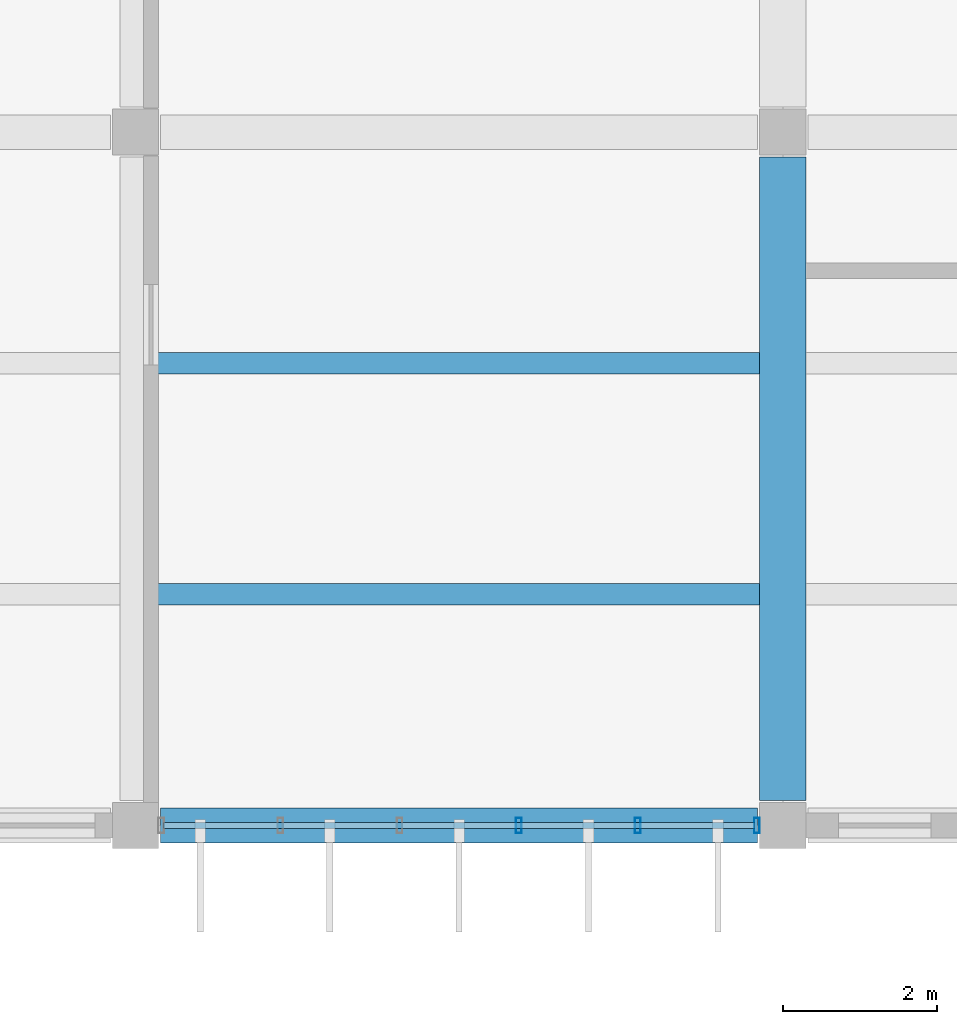
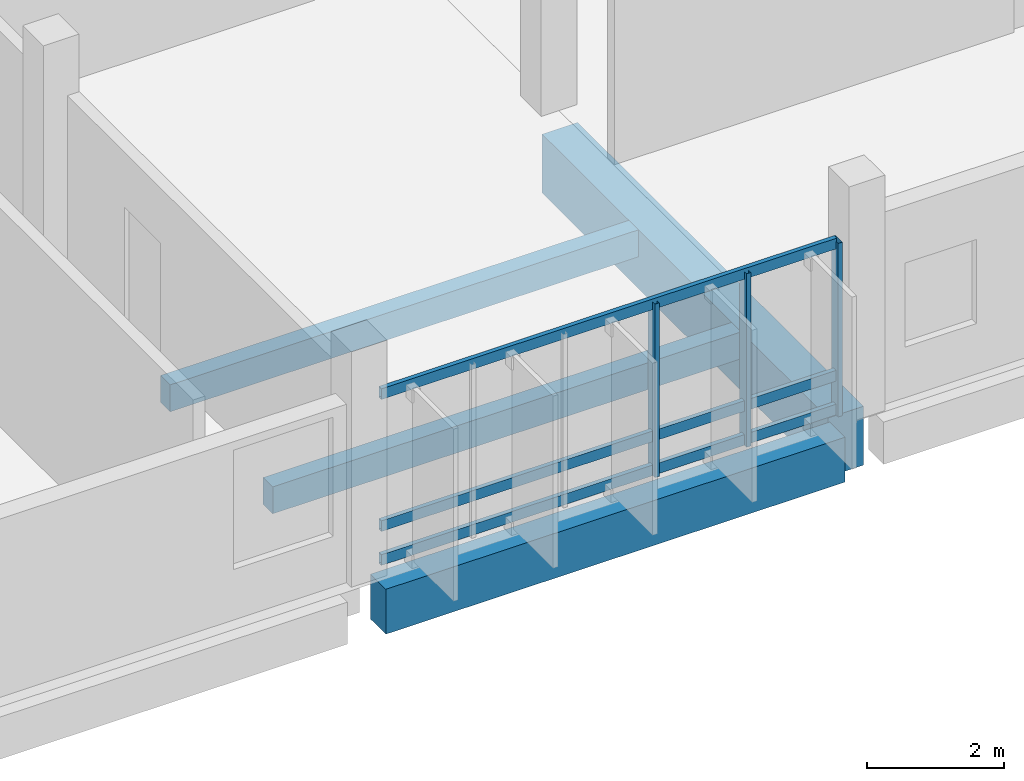
# One storey, part 29 of 130: 6 members, 4 beams, 1 element without a shape of its own.
"""IFC4 building model written with IfcOpenShell, lengths in metres."""

from ifc_helpers import new_model, si_unit, direction, frame, origin, origin_2d, place, context, subcontext, project, spatial, rectangle, hollow_rectangle, extrude, material, layer, layer_set, material_profile, profile_set, type_object, element, aggregate, save


model = new_model("IFC4")

# Units and contexts
model_context = context("Model", 3, precision=1e-05, world=origin(), true_north=direction((0.0, 1.0)))
body_context = subcontext(model_context, "Body", "Model", "MODEL_VIEW")
ifc_project = project(units=[si_unit("LENGTHUNIT", "METRE"), si_unit("AREAUNIT", "SQUARE_METRE"), si_unit("VOLUMEUNIT", "CUBIC_METRE"), si_unit("PLANEANGLEUNIT", "RADIAN"), si_unit("MASSUNIT", "GRAM", prefix="KILO")], contexts=[model_context])

# Site, building, storey
site_placement = place(None, origin())
site = spatial("IfcSite", under=ifc_project, at=site_placement, CompositionType="ELEMENT")
building_placement = place(site_placement, origin())
building = spatial("IfcBuilding", under=site, at=building_placement, Name="Vireocrest Preparatory School", CompositionType="ELEMENT")
storey_placement = place(building_placement, frame((0.0, 0.0, 9.0)))
storey = spatial("IfcBuildingStorey", under=building, at=storey_placement, Name="L02", CompositionType="ELEMENT", Elevation=9.0)

# Curtain wall, members
ifc_material_1 = material(Name="Thermally broken aluminium EN AW-6063-T6", Category="aluminium")
ifc_layer = layer(ifc_material_1, 0.179931640625)
ifc_layer_set = layer_set([ifc_layer], Name="Thermally broken aluminium EN AW-6063-T6")
curtain_wall_type = type_object("IfcCurtainWallType", Name="Side Banded Curtain Wall 9000x3200", PredefinedType="USERDEFINED", material=ifc_layer_set)
curtain_wall_placement = place(storey_placement, origin())
curtain_wall = element("IfcCurtainWall", 1, at=curtain_wall_placement, inside=storey, type_object=curtain_wall_type, Name="Curtain Wall CW09 CW_L02_CW09_1011_0180_090", ObjectType="CURTAIN WALL", PredefinedType="USERDEFINED")
ifc_material_profile_1 = material_profile(ifc_material_1, hollow_rectangle(XDim=0.074951171875, YDim=0.199951171875, WallThickness=0.0048828125, at=origin_2d()), Name="ALU 75x200x5")
ifc_profile_set_1 = profile_set([ifc_material_profile_1], Name="Thermally broken aluminium EN AW-6063-T6")
member_type_1 = type_object("IfcMemberType", Name="CW Mullion 75x200x5", PredefinedType="MULLION", material=ifc_profile_set_1)
member_1_placement = place(storey_placement, frame((105.77294921875, 18.0, 0.0), z_axis=(0.0, 0.0, 1.0), x_axis=(1.0, 0.0, 0.0)))
member_1 = element("IfcMember", 2, at=member_1_placement, type_object=member_type_1, Name="CW Mullion ML3 CW_L02_CW09_1011_0180_090-4", PredefinedType="MULLION", context=body_context, shape_type="SweptSolid", body=[
    extrude(hollow_rectangle(XDim=0.074951171875, YDim=0.199951171875, WallThickness=0.0048828125, at=origin_2d()), origin(), (0.0, 0.0, 1.0), 3.094970703125),
])
member_2_placement = place(storey_placement, frame((107.319091796875, 18.0, 0.0), z_axis=(0.0, 0.0, 1.0), x_axis=(1.0, 0.0, 0.0)))
member_2 = element("IfcMember", 3, at=member_2_placement, type_object=member_type_1, Name="CW Mullion ML3 CW_L02_CW09_1011_0180_090-5", PredefinedType="MULLION", context=body_context, shape_type="SweptSolid", body=[
    extrude(hollow_rectangle(XDim=0.074951171875, YDim=0.199951171875, WallThickness=0.0048828125, at=origin_2d()), origin(), (0.0, 0.0, 1.0), 3.094970703125),
])
member_3_placement = place(storey_placement, frame((108.864990234375, 18.0, 0.0), z_axis=(0.0, 0.0, 1.0), x_axis=(1.0, 0.0, 0.0)))
member_3 = element("IfcMember", 4, at=member_3_placement, type_object=member_type_1, Name="CW Mullion ML3 CW_L02_CW09_1011_0180_090-6", PredefinedType="MULLION", context=body_context, shape_type="SweptSolid", body=[
    extrude(hollow_rectangle(XDim=0.074951171875, YDim=0.199951171875, WallThickness=0.0048828125, at=origin_2d()), origin(), (0.0, 0.0, 1.0), 3.094970703125),
])
ifc_material_profile_2 = material_profile(ifc_material_1, hollow_rectangle(XDim=0.074951171875, YDim=0.18994140625, WallThickness=0.00390625, at=origin_2d()), Name="ALU 75x190x4")
ifc_profile_set_2 = profile_set([ifc_material_profile_2], Name="Thermally broken aluminium EN AW-6063-T6")
member_type_2 = type_object("IfcMemberType", Name="CW Transom 75x190x4", PredefinedType="USERDEFINED", material=ifc_profile_set_2)
member_4_placement = place(storey_placement, frame((101.159912109375, 18.0, 0.094970703125), z_axis=(1.0, 0.0, 0.0), x_axis=(0.0, 1.0, 0.0)))
member_4 = element("IfcMember", 5, at=member_4_placement, type_object=member_type_2, Name="CW Transom TR3 CW_L02_CW09_1011_0180_090-1", ObjectType="TRANSOM", PredefinedType="USERDEFINED", context=body_context, shape_type="SweptSolid", body=[
    extrude(hollow_rectangle(XDim=0.074951171875, YDim=0.18994140625, WallThickness=0.00390625, at=origin_2d()), origin(), (0.0, 0.0, 1.0), 7.68017578125),
])
member_5_placement = place(storey_placement, frame((101.159912109375, 18.0, 0.699951171875), z_axis=(1.0, 0.0, 0.0), x_axis=(0.0, 1.0, 0.0)))
member_5 = element("IfcMember", 6, at=member_5_placement, type_object=member_type_2, Name="CW Transom TR3 CW_L02_CW09_1011_0180_090-2", ObjectType="TRANSOM", PredefinedType="USERDEFINED", context=body_context, shape_type="SweptSolid", body=[
    extrude(hollow_rectangle(XDim=0.074951171875, YDim=0.18994140625, WallThickness=0.00390625, at=origin_2d()), origin(), (0.0, 0.0, 1.0), 7.68017578125),
])
member_6_placement = place(storey_placement, frame((101.159912109375, 18.0, 3.054931640625), z_axis=(1.0, 0.0, 0.0), x_axis=(0.0, 1.0, 0.0)))
member_6 = element("IfcMember", 7, at=member_6_placement, type_object=member_type_2, Name="CW Transom TR3 CW_L02_CW09_1011_0180_090-3", ObjectType="TRANSOM", PredefinedType="USERDEFINED", context=body_context, shape_type="SweptSolid", body=[
    extrude(hollow_rectangle(XDim=0.074951171875, YDim=0.18994140625, WallThickness=0.00390625, at=origin_2d()), origin(), (0.0, 0.0, 1.0), 7.68017578125),
])
aggregate(curtain_wall, [member_1, member_2, member_3, member_4, member_5, member_6])

# Beams
ifc_material_2 = material(Name="Concrete 40 MPa", Category="concrete")
ifc_material_profile_3 = material_profile(ifc_material_2, rectangle(XDim=0.449951171875, YDim=0.800048828125, at=origin_2d()), Name="RC 450x800")
ifc_profile_set_3 = profile_set([ifc_material_profile_3], Name="Concrete 40 MPa")
beam_type_1 = type_object("IfcBeamType", Name="RC Library Stack Girder 450x800", PredefinedType="BEAM", material=ifc_profile_set_3)
beam_1_placement = place(storey_placement, frame((101.125, 18.0, -0.699951171875), z_axis=(1.0, 0.0, 0.0), x_axis=(0.0, 1.0, 0.0)))
element("IfcBeam", 8, at=beam_1_placement, inside=storey, type_object=beam_type_1, Name="Primary Girder B12 L02-0684", PredefinedType="BEAM", context=body_context, shape_type="SweptSolid", body=[
    extrude(rectangle(XDim=0.449951171875, YDim=0.800048828125, at=origin_2d()), origin(), (0.0, 0.0, 1.0), 7.75),
])
ifc_material_profile_4 = material_profile(ifc_material_2, rectangle(XDim=0.280029296875, YDim=0.47998046875, at=origin_2d()), Name="RC 280x480")
ifc_profile_set_4 = profile_set([ifc_material_profile_4], Name="Concrete 40 MPa")
beam_type_2 = type_object("IfcBeamType", Name="RC Secondary Lab Joist 280x480", PredefinedType="JOIST", material=ifc_profile_set_4)
for number, where, z_axis, x_axis, name in (
    (9, (101.0, 21.0, -0.5400390625), (1.0, 0.0, 0.0), (0.0, 1.0, 0.0), "Secondary Joist J02 L02-0988"),
    (10, (101.0, 24.0, -0.5400390625), (1.0, 0.0, 0.0), (0.0, 1.0, 0.0), "Secondary Joist J02 L02-0989"),
):
    element("IfcBeam", number, at=place(storey_placement, frame(where, z_axis=z_axis, x_axis=x_axis)), inside=storey, type_object=beam_type_2, Name=name, PredefinedType="JOIST", context=body_context, shape_type="SweptSolid", body=[
        extrude(rectangle(XDim=0.280029296875, YDim=0.47998046875, at=origin_2d()), origin(), (0.0, 0.0, 1.0), 7.89990234375),
    ])
ifc_material_profile_5 = material_profile(ifc_material_2, rectangle(XDim=0.60009765625, YDim=1.050048828125, at=origin_2d()), Name="RC 600x1050")
ifc_profile_set_5 = profile_set([ifc_material_profile_5], Name="Concrete 40 MPa")
beam_type_3 = type_object("IfcBeamType", Name="RC Transfer Girder 600x1050", PredefinedType="BEAM", material=ifc_profile_set_5)
beam_2_placement = place(storey_placement, frame((109.199951171875, 18.324951171875, -0.824951171875), z_axis=(0.0, 1.0, 0.0), x_axis=(-1.0, 0.0, 0.0)))
element("IfcBeam", 11, at=beam_2_placement, inside=storey, type_object=beam_type_3, Name="Primary Girder B19 L02-0858", PredefinedType="BEAM", context=body_context, shape_type="SweptSolid", body=[
    extrude(rectangle(XDim=0.60009765625, YDim=1.050048828125, at=origin_2d()), origin(), (0.0, 0.0, 1.0), 8.35009765625),
])

save(model, "model.ifc")
